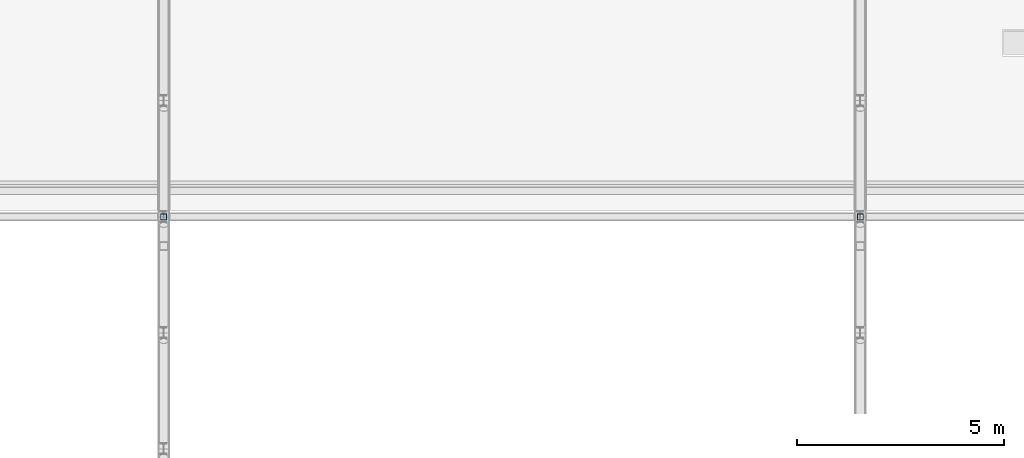
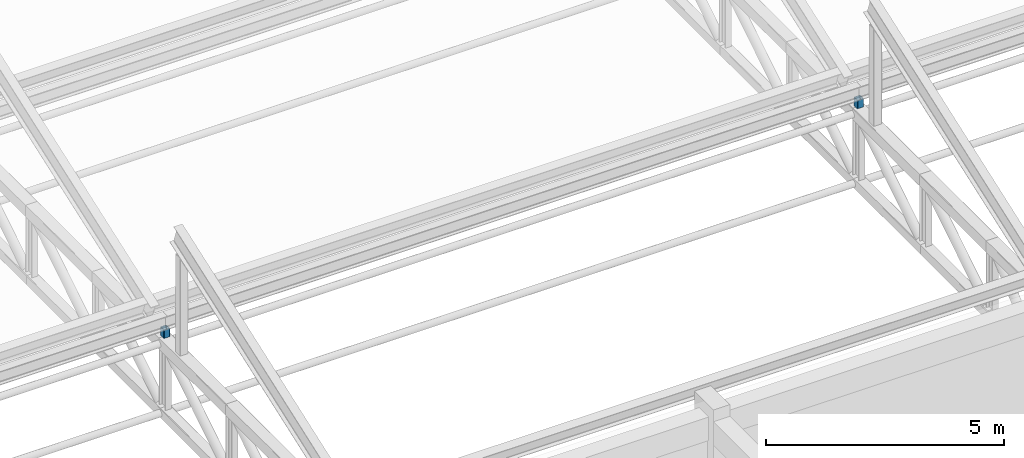
# One storey, part 58 of 101: 2 members.
"""IFC4 building model written with IfcOpenShell, lengths in metres."""

from ifc_helpers import new_model, si_unit, direction, frame, origin, origin_2d, place, context, subcontext, project, spatial, hollow_rectangle, extrude, material, material_profile, profile_set, type_object, element, save


model = new_model("IFC4")

# Units and contexts
model_context = context("Model", 3, precision=1e-05, world=origin(), true_north=direction((0.0, 1.0)))
body_context = subcontext(model_context, "Body", "Model", "MODEL_VIEW")
ifc_project = project(units=[si_unit("LENGTHUNIT", "METRE"), si_unit("AREAUNIT", "SQUARE_METRE"), si_unit("VOLUMEUNIT", "CUBIC_METRE"), si_unit("PLANEANGLEUNIT", "RADIAN"), si_unit("MASSUNIT", "GRAM", prefix="KILO")], contexts=[model_context])

# Site, building, storey
site_placement = place(None, origin())
site = spatial("IfcSite", under=ifc_project, at=site_placement, CompositionType="ELEMENT")
building_placement = place(site_placement, origin())
building = spatial("IfcBuilding", under=site, at=building_placement, Name="Fescue Hill Polytechnic", CompositionType="ELEMENT")
storey_placement = place(building_placement, frame((0.0, 0.0, 9.0)))
storey = spatial("IfcBuildingStorey", under=building, at=storey_placement, Name="L02", CompositionType="ELEMENT", Elevation=9.0)

# Members
ifc_material = material(Name="Steel 350W (350 MPa)", Category="steel")
ifc_material_profile = material_profile(ifc_material, hollow_rectangle(XDim=0.15234375, YDim=0.15234375, WallThickness=0.009521484375, InnerFilletRadius=0.009521484375, OuterFilletRadius=0.01904296875, at=origin_2d()), Name="Valley bearing post HSS 152x152x9.5")
ifc_profile_set = profile_set([ifc_material_profile], Name="Steel 350W (350 MPa)")
member_type = type_object("IfcMemberType", Name="Valley bearing post HSS 152x152x9.5", PredefinedType="POST", material=ifc_profile_set)
for number, where, z_axis, x_axis, name in (
    (1, (67.199951171875, 25.199951171875, 3.93603515625), (0.0, 0.0, 1.0), (1.0, 0.0, 0.0), "Valley 2 bearing post on TR5"),
    (2, (84.0, 25.199951171875, 3.93603515625), (0.0, 0.0, 1.0), (1.0, 0.0, 0.0), "Valley 2 bearing post on TR6"),
):
    element("IfcMember", number, at=place(storey_placement, frame(where, z_axis=z_axis, x_axis=x_axis)), inside=storey, type_object=member_type, Name=name, PredefinedType="POST", context=body_context, shape_type="SweptSolid", body=[
        extrude(hollow_rectangle(XDim=0.15234375, YDim=0.15234375, WallThickness=0.009521484375, InnerFilletRadius=0.009521484375, OuterFilletRadius=0.01904296875, at=origin_2d()), origin(), (0.0, 0.0, 1.0), 0.2138671875),
    ])

save(model, "model.ifc")
